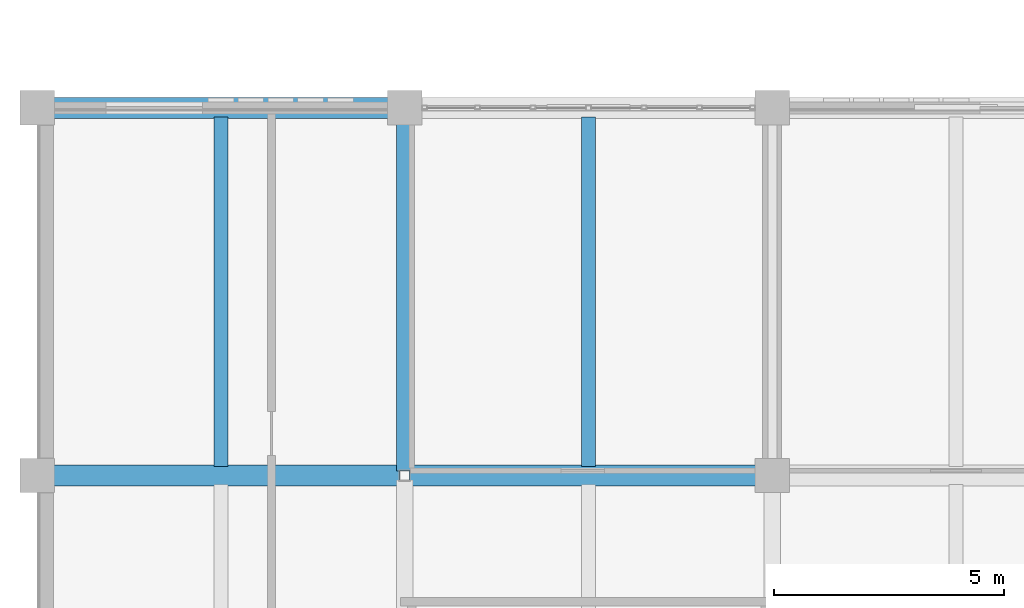
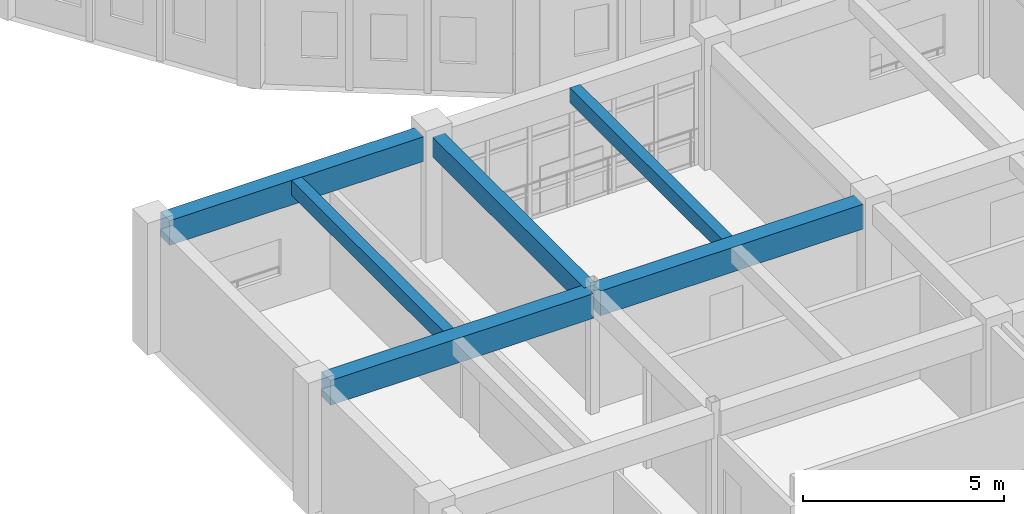
# One storey, part 48 of 159: 6 beams.
"""IFC4 building model written with IfcOpenShell, lengths in metres."""

from ifc_helpers import new_model, si_unit, direction, frame, origin, origin_2d, place, context, subcontext, project, spatial, rectangle, extrude, material, material_profile, profile_set, type_object, element, save


model = new_model("IFC4")

# Units and contexts
model_context = context("Model", 3, precision=1e-05, world=origin(), true_north=direction((0.0, 1.0)))
body_context = subcontext(model_context, "Body", "Model", "MODEL_VIEW")
ifc_project = project(units=[si_unit("LENGTHUNIT", "METRE"), si_unit("AREAUNIT", "SQUARE_METRE"), si_unit("VOLUMEUNIT", "CUBIC_METRE"), si_unit("PLANEANGLEUNIT", "RADIAN"), si_unit("MASSUNIT", "GRAM", prefix="KILO")], contexts=[model_context])

# Site, building, storey
site_placement = place(None, origin())
site = spatial("IfcSite", under=ifc_project, at=site_placement, CompositionType="ELEMENT")
building_placement = place(site_placement, origin())
building = spatial("IfcBuilding", under=site, at=building_placement, Name="Celadon Cloister-Ring School", CompositionType="ELEMENT")
storey_placement = place(building_placement, frame((0.0, 0.0, 4.5)))
storey = spatial("IfcBuildingStorey", under=building, at=storey_placement, Name="L01", CompositionType="ELEMENT", Elevation=4.5)

# Beams
ifc_material_1 = material(Name="Concrete C35/45", Category="concrete")
ifc_material_profile_1 = material_profile(ifc_material_1, rectangle(XDim=0.35009765625, YDim=0.60009765625, at=origin_2d()), Name="RC350X600")
ifc_profile_set_1 = profile_set([ifc_material_profile_1], Name="Concrete C35/45")
beam_type_1 = type_object("IfcBeamType", Name="BT-02", PredefinedType="BEAM", material=ifc_profile_set_1)
beam_1_placement = place(storey_placement, frame((8.0, 68.10009765625, 3.43994140625), z_axis=(0.0, 1.0, 0.0), x_axis=(-1.0, 0.0, 0.0)))
element("IfcBeam", 1, at=beam_1_placement, inside=storey, type_object=beam_type_1, Name="Beam 1536", PredefinedType="BEAM", context=body_context, shape_type="SweptSolid", body=[
    extrude(rectangle(XDim=0.35009765625, YDim=0.60009765625, at=origin_2d()), origin(), (0.0, 0.0, 1.0), 7.5498046875),
])
ifc_material_2 = material(Name="Concrete C35/45", Category="concrete")
ifc_material_profile_2 = material_profile(ifc_material_2, rectangle(XDim=0.449951171875, YDim=0.75, at=origin_2d()), Name="RC450X750")
ifc_profile_set_2 = profile_set([ifc_material_profile_2], Name="Concrete C35/45")
beam_type_2 = type_object("IfcBeamType", Name="GT-02", PredefinedType="USERDEFINED", material=ifc_profile_set_2)
for number, where, z_axis, x_axis, name in (
    (2, (0.35009765625, 68.0, 3.364990234375), (1.0, 0.0, 0.0), (0.0, 1.0, 0.0), "Beam 1527"),
    (3, (8.10009765625, 68.0, 3.364990234375), (1.0, 0.0, 0.0), (0.0, 1.0, 0.0), "Beam 1528"),
):
    element("IfcBeam", number, at=place(storey_placement, frame(where, z_axis=z_axis, x_axis=x_axis)), inside=storey, type_object=beam_type_2, Name=name, ObjectType="GIRDER", PredefinedType="USERDEFINED", context=body_context, shape_type="SweptSolid", body=[
        extrude(rectangle(XDim=0.449951171875, YDim=0.75, at=origin_2d()), origin(), (0.0, 0.0, 1.0), 7.5498046875),
    ])
beam_2_placement = place(storey_placement, frame((0.35009765625, 76.0, 3.364990234375), z_axis=(1.0, 0.0, 0.0), x_axis=(0.0, 1.0, 0.0)))
element("IfcBeam", 4, at=beam_2_placement, inside=storey, type_object=beam_type_2, Name="Beam 1531", ObjectType="GIRDER", PredefinedType="USERDEFINED", context=body_context, shape_type="SweptSolid", body=[
    extrude(rectangle(XDim=0.449951171875, YDim=0.75, at=origin_2d()), origin(), (0.0, 0.0, 1.0), 7.2998046875),
])
ifc_material_3 = material(Name="Concrete C35/45", Category="concrete")
ifc_material_profile_3 = material_profile(ifc_material_3, rectangle(XDim=0.300048828125, YDim=0.449951171875, at=origin_2d()), Name="RC300X450")
ifc_profile_set_3 = profile_set([ifc_material_profile_3], Name="Concrete C35/45")
beam_type_3 = type_object("IfcBeamType", Name="JT-01", PredefinedType="JOIST", material=ifc_profile_set_3)
for number, where, z_axis, x_axis, name in (
    (5, (4.0, 68.199951171875, 3.514892578125), (0.0, 1.0, 0.0), (-1.0, 0.0, 0.0), "Beam 1550"),
    (6, (12.0, 68.199951171875, 3.514892578125), (0.0, 1.0, 0.0), (-1.0, 0.0, 0.0), "Beam 1552"),
):
    element("IfcBeam", number, at=place(storey_placement, frame(where, z_axis=z_axis, x_axis=x_axis)), inside=storey, type_object=beam_type_3, Name=name, PredefinedType="JOIST", context=body_context, shape_type="SweptSolid", body=[
        extrude(rectangle(XDim=0.300048828125, YDim=0.449951171875, at=origin_2d()), origin(), (0.0, 0.0, 1.0), 7.60009765625),
    ])

save(model, "model.ifc")
